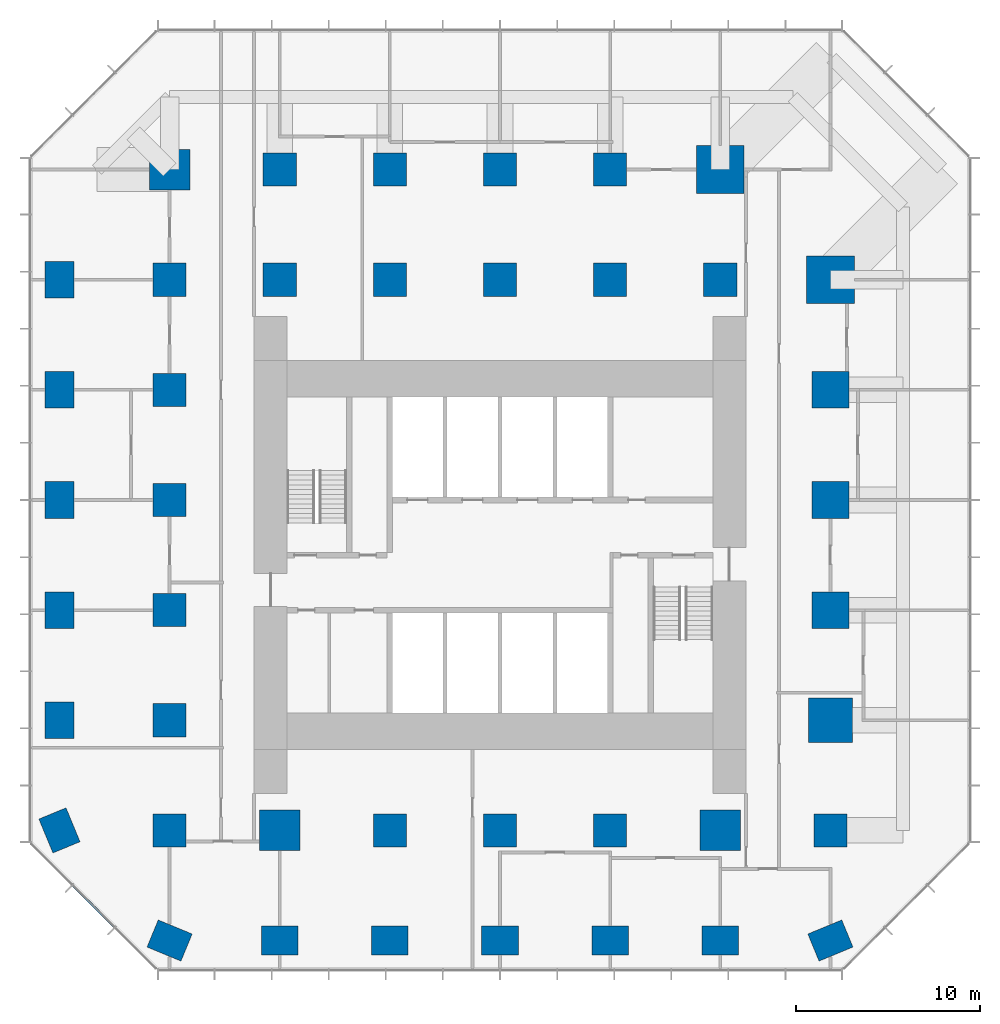
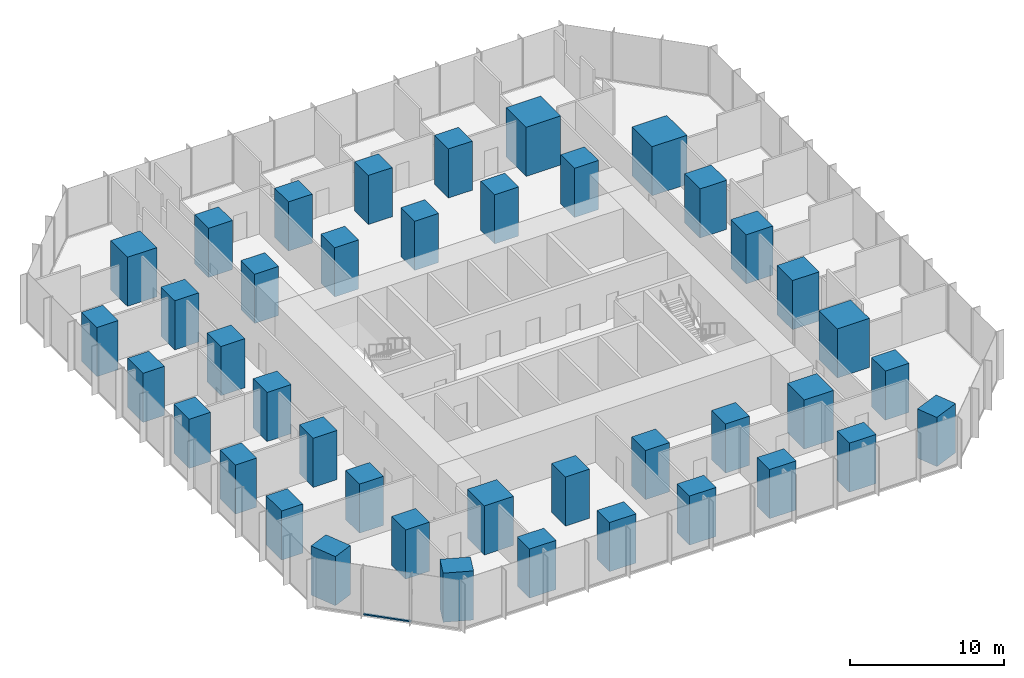
# One storey, part 1 of 12: 41 columns, 1 member, 1 element without a shape of its own.
"""IFC4 building model written with IfcOpenShell, lengths in metres."""

from ifc_helpers import new_model, si_unit, direction, frame, origin, origin_2d, place, context, subcontext, project, spatial, rectangle, extrude, material, layer, layer_set, material_profile, profile_set, type_object, element, aggregate, save


model = new_model("IFC4")

# Units and contexts
model_context = context("Model", 3, precision=1e-05, world=origin(), true_north=direction((0.0, 1.0)))
body_context = subcontext(model_context, "Body", "Model", "MODEL_VIEW")
ifc_project = project(units=[si_unit("LENGTHUNIT", "METRE"), si_unit("AREAUNIT", "SQUARE_METRE"), si_unit("VOLUMEUNIT", "CUBIC_METRE"), si_unit("PLANEANGLEUNIT", "RADIAN"), si_unit("MASSUNIT", "GRAM", prefix="KILO")], contexts=[model_context])

# Site, building, storey
site_placement = place(None, origin())
site = spatial("IfcSite", under=ifc_project, at=site_placement, CompositionType="ELEMENT")
building_placement = place(site_placement, origin())
building = spatial("IfcBuilding", under=site, at=building_placement, Name="Highveld Stack Headquarters", CompositionType="ELEMENT")
storey_placement = place(building_placement, frame((0.0, 0.0, 76.699951171875)))
storey = spatial("IfcBuildingStorey", under=building, at=storey_placement, Name="L18", CompositionType="ELEMENT", Elevation=76.699951171875)

# Columns
ifc_material_1 = material(Name="Concrete C60/75", Category="concrete")
ifc_material_profile_1 = material_profile(ifc_material_1, rectangle(XDim=1.800048828125, YDim=1.800048828125, at=origin_2d()), Name="RC 1800x1800")
ifc_profile_set_1 = profile_set([ifc_material_profile_1], Name="Concrete C60/75")
column_type_1 = type_object("IfcColumnType", Name="COLUMN RC 1800x1800 C60/75", PredefinedType="COLUMN", material=ifc_profile_set_1)
for number, where, z_axis, x_axis, name in (
    (1, (-12.0, -12.0, 0.0), (0.0, 0.0, 1.0), (1.0, 0.0, 0.0), "Column 4/C L18"),
    (2, (-12.0, -6.0, 0.0), (0.0, 0.0, 1.0), (1.0, 0.0, 0.0), "Column 4/D L18"),
    (3, (-12.0, 0.0, 0.0), (0.0, 0.0, 1.0), (1.0, 0.0, 0.0), "Column 4/E L18"),
    (4, (-12.0, 6.0, 0.0), (0.0, 0.0, 1.0), (1.0, 0.0, 0.0), "Column 4/F L18"),
    (5, (-12.0, 12.0, 0.0), (0.0, 0.0, 1.0), (1.0, 0.0, 0.0), "Column 4/G L18"),
    (6, (-12.0, 18.0, 0.0), (0.0, 0.0, 1.0), (1.0, 0.0, 0.0), "Column 4/H L18"),
    (7, (-6.0, 18.0, 0.0), (0.0, 0.0, 1.0), (1.0, 0.0, 0.0), "Column 5/H L18"),
    (8, (-6.0, 24.0, 0.0), (0.0, 0.0, 1.0), (1.0, 0.0, 0.0), "Column 5/J L18"),
    (9, (0.0, -12.0, 0.0), (0.0, 0.0, 1.0), (1.0, 0.0, 0.0), "Column 6/C L18"),
    (10, (0.0, 18.0, 0.0), (0.0, 0.0, 1.0), (1.0, 0.0, 0.0), "Column 6/H L18"),
    (11, (0.0, 24.0, 0.0), (0.0, 0.0, 1.0), (1.0, 0.0, 0.0), "Column 6/J L18"),
    (12, (6.0, -12.0, 0.0), (0.0, 0.0, 1.0), (1.0, 0.0, 0.0), "Column 7/C L18"),
    (13, (6.0, 18.0, 0.0), (0.0, 0.0, 1.0), (1.0, 0.0, 0.0), "Column 7/H L18"),
    (14, (6.0, 24.0, 0.0), (0.0, 0.0, 1.0), (1.0, 0.0, 0.0), "Column 7/J L18"),
    (15, (12.0, -12.0, 0.0), (0.0, 0.0, 1.0), (1.0, 0.0, 0.0), "Column 8/C L18"),
    (16, (12.0, 18.0, 0.0), (0.0, 0.0, 1.0), (1.0, 0.0, 0.0), "Column 8/H L18"),
    (17, (12.0, 24.0, 0.0), (0.0, 0.0, 1.0), (1.0, 0.0, 0.0), "Column 8/J L18"),
    (18, (18.0, 18.0, 0.0), (0.0, 0.0, 1.0), (1.0, 0.0, 0.0), "Column 9/H L18"),
    (19, (24.0, -12.0, 0.0), (0.0, 0.0, 1.0), (1.0, 0.0, 0.0), "Column 10/C L18"),
):
    element("IfcColumn", number, at=place(storey_placement, frame(where, z_axis=z_axis, x_axis=x_axis)), inside=storey, type_object=column_type_1, Name=name, PredefinedType="COLUMN", context=body_context, shape_type="SweptSolid", body=[
        extrude(rectangle(XDim=1.800048828125, YDim=1.800048828125, at=origin_2d()), origin(), (0.0, 0.0, 1.0), 3.900146484375),
    ])
ifc_material_2 = material(Name="Concrete C60/75", Category="concrete")
ifc_material_profile_2 = material_profile(ifc_material_2, rectangle(XDim=2.0, YDim=1.60009765625, at=origin_2d()), Name="RC 2000x1600")
ifc_profile_set_2 = profile_set([ifc_material_profile_2], Name="Concrete C60/75")
column_type_2 = type_object("IfcColumnType", Name="COLUMN RC 2000x1600 C60/75", PredefinedType="COLUMN", material=ifc_profile_set_2)
for number, where, z_axis, x_axis, name in (
    (20, (-18.0, -12.0, 0.0), (0.0, 0.0, 1.0), (-0.382683432365, 0.923879532511, 0.0), "Column 3/C L18"),
    (21, (-18.0, -6.0, 0.0), (0.0, 0.0, 1.0), (0.0, 1.0, 0.0), "Column 3/D L18"),
    (22, (-18.0, 0.0, 0.0), (0.0, 0.0, 1.0), (0.0, 1.0, 0.0), "Column 3/E L18"),
    (23, (-18.0, 6.0, 0.0), (0.0, 0.0, 1.0), (0.0, 1.0, 0.0), "Column 3/F L18"),
    (24, (-18.0, 12.0, 0.0), (0.0, 0.0, 1.0), (0.0, 1.0, 0.0), "Column 3/G L18"),
    (25, (-18.0, 18.0, 0.0), (0.0, 0.0, 1.0), (0.0, 1.0, 0.0), "Column 3/H L18"),
    (26, (-12.0, -18.0, 0.0), (0.0, 0.0, 1.0), (-0.923879532511, 0.382683432365, 0.0), "Column 4/B L18"),
    (27, (-6.0, -18.0, 0.0), (0.0, 0.0, 1.0), (1.0, 0.0, 0.0), "Column 5/B L18"),
    (28, (0.0, -18.0, 0.0), (0.0, 0.0, 1.0), (1.0, 0.0, 0.0), "Column 6/B L18"),
    (29, (6.0, -18.0, 0.0), (0.0, 0.0, 1.0), (1.0, 0.0, 0.0), "Column 7/B L18"),
    (30, (12.0, -18.0, 0.0), (0.0, 0.0, 1.0), (1.0, 0.0, 0.0), "Column 8/B L18"),
    (31, (18.0, -18.0, 0.0), (0.0, 0.0, 1.0), (1.0, 0.0, 0.0), "Column 9/B L18"),
    (32, (24.0, -18.0, 0.0), (0.0, 0.0, 1.0), (-0.923879532511, -0.382683432365, 0.0), "Column 10/B L18"),
):
    element("IfcColumn", number, at=place(storey_placement, frame(where, z_axis=z_axis, x_axis=x_axis)), inside=storey, type_object=column_type_2, Name=name, PredefinedType="COLUMN", context=body_context, shape_type="SweptSolid", body=[
        extrude(rectangle(XDim=2.0, YDim=1.60009765625, at=origin_2d()), origin(), (0.0, 0.0, 1.0), 3.900146484375),
    ])
ifc_material_3 = material(Name="Concrete C60/75", Category="concrete")
ifc_material_profile_3 = material_profile(ifc_material_3, rectangle(XDim=2.0, YDim=2.0, at=origin_2d()), Name="RC 2000x2000")
ifc_profile_set_3 = profile_set([ifc_material_profile_3], Name="Concrete C60/75")
column_type_3 = type_object("IfcColumnType", Name="COLUMN RC 2000x2000 C60/75", PredefinedType="COLUMN", material=ifc_profile_set_3)
for number, where, z_axis, x_axis, name in (
    (33, (24.0, 0.0, 0.0), (0.0, 0.0, 1.0), (1.0, 0.0, 0.0), "Column 10/E L18"),
    (34, (24.0, 6.0, 0.0), (0.0, 0.0, 1.0), (1.0, 0.0, 0.0), "Column 10/F L18"),
    (35, (24.0, 12.0, 0.0), (0.0, 0.0, 1.0), (1.0, 0.0, 0.0), "Column 10/G L18"),
):
    element("IfcColumn", number, at=place(storey_placement, frame(where, z_axis=z_axis, x_axis=x_axis)), inside=storey, type_object=column_type_3, Name=name, PredefinedType="COLUMN", context=body_context, shape_type="SweptSolid", body=[
        extrude(rectangle(XDim=2.0, YDim=2.0, at=origin_2d()), origin(), (0.0, 0.0, 1.0), 3.900146484375),
    ])
ifc_material_4 = material(Name="Concrete C60/75", Category="concrete")
ifc_material_profile_4 = material_profile(ifc_material_4, rectangle(XDim=2.199951171875, YDim=2.199951171875, at=origin_2d()), Name="RC 2200x2200")
ifc_profile_set_4 = profile_set([ifc_material_profile_4], Name="Concrete C60/75")
column_type_4 = type_object("IfcColumnType", Name="COLUMN RC 2200x2200 C60/75", PredefinedType="COLUMN", material=ifc_profile_set_4)
for number, where, z_axis, x_axis, name in (
    (36, (-12.0, 24.0, 0.0), (0.0, 0.0, 1.0), (1.0, 0.0, 0.0), "Column 4/J L18"),
    (37, (-6.0, -12.0, 0.0), (0.0, 0.0, 1.0), (1.0, 0.0, 0.0), "Column 5/C L18"),
    (38, (18.0, -12.0, 0.0), (0.0, 0.0, 1.0), (1.0, 0.0, 0.0), "Column 9/C L18"),
):
    element("IfcColumn", number, at=place(storey_placement, frame(where, z_axis=z_axis, x_axis=x_axis)), inside=storey, type_object=column_type_4, Name=name, PredefinedType="COLUMN", context=body_context, shape_type="SweptSolid", body=[
        extrude(rectangle(XDim=2.199951171875, YDim=2.199951171875, at=origin_2d()), origin(), (0.0, 0.0, 1.0), 3.900146484375),
    ])
ifc_material_5 = material(Name="Concrete C60/75", Category="concrete")
ifc_material_profile_5 = material_profile(ifc_material_5, rectangle(XDim=2.39990234375, YDim=2.39990234375, at=origin_2d()), Name="RC 2400x2400")
ifc_profile_set_5 = profile_set([ifc_material_profile_5], Name="Concrete C60/75")
column_type_5 = type_object("IfcColumnType", Name="COLUMN RC 2400x2400 C60/75", PredefinedType="COLUMN", material=ifc_profile_set_5)
column_placement = place(storey_placement, frame((24.0, -6.0, 0.0), z_axis=(0.0, 0.0, 1.0), x_axis=(1.0, 0.0, 0.0)))
element("IfcColumn", 39, at=column_placement, inside=storey, type_object=column_type_5, Name="Column 10/D L18", PredefinedType="COLUMN", context=body_context, shape_type="SweptSolid", body=[
    extrude(rectangle(XDim=2.39990234375, YDim=2.39990234375, at=origin_2d()), origin(), (0.0, 0.0, 1.0), 3.900146484375),
])
ifc_material_6 = material(Name="Concrete C60/75", Category="concrete")
ifc_material_profile_6 = material_profile(ifc_material_6, rectangle(XDim=2.60009765625, YDim=2.60009765625, at=origin_2d()), Name="RC 2600x2600")
ifc_profile_set_6 = profile_set([ifc_material_profile_6], Name="Concrete C60/75")
column_type_6 = type_object("IfcColumnType", Name="COLUMN RC 2600x2600 C60/75", PredefinedType="COLUMN", material=ifc_profile_set_6)
for number, where, z_axis, x_axis, name in (
    (40, (18.0, 24.0, 0.0), (0.0, 0.0, 1.0), (1.0, 0.0, 0.0), "Column 9/J L18"),
    (41, (24.0, 18.0, 0.0), (0.0, 0.0, 1.0), (1.0, 0.0, 0.0), "Column 10/H L18"),
):
    element("IfcColumn", number, at=place(storey_placement, frame(where, z_axis=z_axis, x_axis=x_axis)), inside=storey, type_object=column_type_6, Name=name, PredefinedType="COLUMN", context=body_context, shape_type="SweptSolid", body=[
        extrude(rectangle(XDim=2.60009765625, YDim=2.60009765625, at=origin_2d()), origin(), (0.0, 0.0, 1.0), 3.900146484375),
    ])

# Curtain wall, member
ifc_material_7 = material(Name="Aluminium bronze anodised", Category="aluminium")
ifc_layer = layer(ifc_material_7, 0.199951171875)
ifc_layer_set = layer_set([ifc_layer], Name="Aluminium bronze anodised")
curtain_wall_type = type_object("IfcCurtainWallType", Name="CW2 TOWER CHAMFER UNITISED CURTAIN WALL", PredefinedType="NOTDEFINED", material=ifc_layer_set)
curtain_wall_placement = place(storey_placement, origin())
curtain_wall = element("IfcCurtainWall", 42, at=curtain_wall_placement, inside=storey, type_object=curtain_wall_type, Name="Curtain wall CW2 L18 SW", PredefinedType="NOTDEFINED")
ifc_material_8 = material(Name="Aluminium bronze anodised", Category="aluminium")
ifc_material_profile_7 = material_profile(ifc_material_8, rectangle(XDim=0.14990234375, YDim=0.10009765625, at=origin_2d()), Name="CW2 TRANSOM 150x100")
ifc_profile_set_7 = profile_set([ifc_material_profile_7], Name="Aluminium bronze anodised")
member_type = type_object("IfcMemberType", Name="CW2 STACK TRANSOM 150x100", PredefinedType="USERDEFINED", material=ifc_profile_set_7)
member_placement = place(storey_placement, frame((-17.2646484375, -14.998046875, 0.050048828125), z_axis=(0.707106781187, -0.707106781187, 0.0), x_axis=(0.707106781187, 0.707106781187, 0.0)))
member = element("IfcMember", 43, at=member_placement, type_object=member_type, Name="CW2 transom L18 2.1", ObjectType="TRANSOM", PredefinedType="USERDEFINED", context=body_context, shape_type="SweptSolid", body=[
    extrude(rectangle(XDim=0.14990234375, YDim=0.10009765625, at=origin_2d()), origin(), (0.0, 0.0, 1.0), 3.20556640625),
])
aggregate(curtain_wall, [member])

save(model, "model.ifc")
